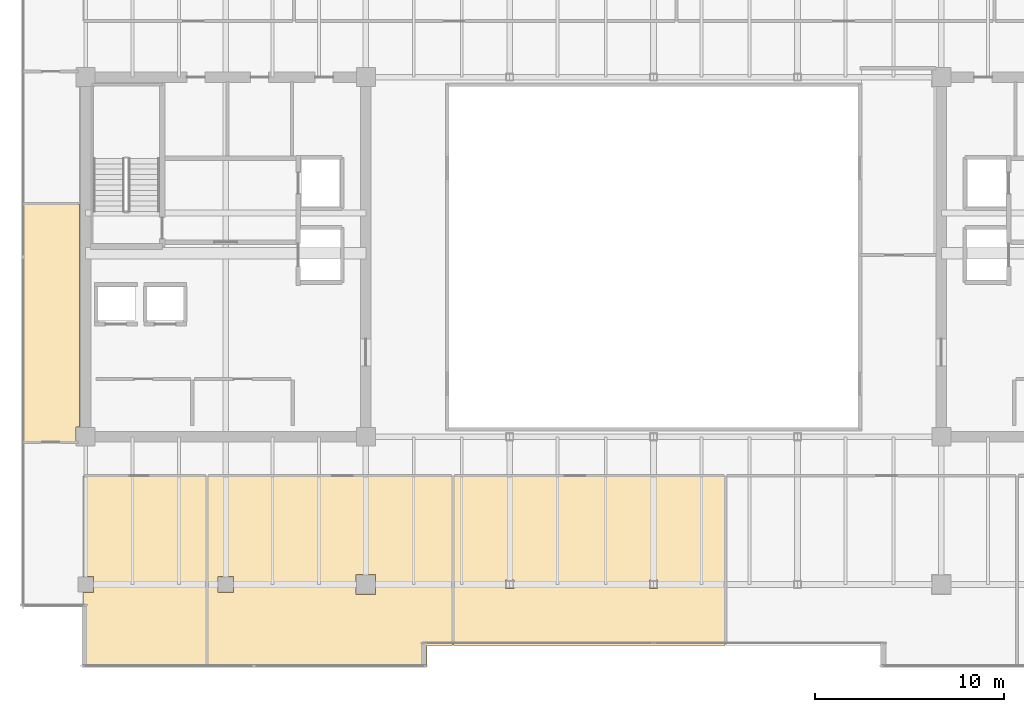
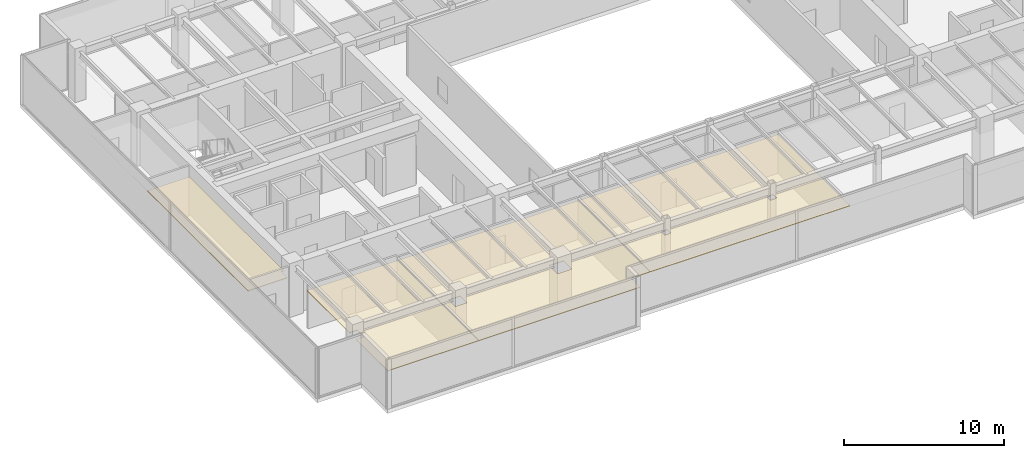
# One storey, part 32 of 35: 4 coverings.
"""IFC4 building model written with IfcOpenShell, lengths in metres."""

from ifc_helpers import new_model, si_unit, direction, frame, origin, place, context, subcontext, project, spatial, polyline, outline, extrude, material, layer, layer_set, type_object, element, save


model = new_model("IFC4")

# Units and contexts
model_context = context("Model", 3, precision=1e-05, world=origin(), true_north=direction((0.0, 1.0)))
body_context = subcontext(model_context, "Body", "Model", "MODEL_VIEW")
ifc_project = project(units=[si_unit("LENGTHUNIT", "METRE"), si_unit("AREAUNIT", "SQUARE_METRE"), si_unit("VOLUMEUNIT", "CUBIC_METRE"), si_unit("PLANEANGLEUNIT", "RADIAN"), si_unit("MASSUNIT", "GRAM", prefix="KILO")], contexts=[model_context])

# Site, building, storey
site_placement = place(None, origin())
site = spatial("IfcSite", under=ifc_project, at=site_placement, CompositionType="ELEMENT")
building_placement = place(site_placement, origin())
building = spatial("IfcBuilding", under=site, at=building_placement, Name="Haelvirn Gate Laboratories", CompositionType="ELEMENT")
storey_placement = place(building_placement, frame((0.0, 0.0, 221.89990234375)))
storey = spatial("IfcBuildingStorey", under=building, at=storey_placement, Name="L53", CompositionType="ELEMENT", Elevation=221.89990234375)

# Coverings
ifc_material = material(Name="Washable cleanroom gasketed aluminium ceiling", Category="aluminium")
ifc_layer = layer(ifc_material, 0.050048828125, Name="COV-CEIL-CLN")
ifc_layer_set = layer_set([ifc_layer], Name="Washable cleanroom gasketed aluminium ceiling")
covering_type = type_object("IfcCoveringType", Name="COV-CEIL-CLN", PredefinedType="CEILING", material=ifc_layer_set)
covering_1_placement = place(storey_placement, frame((0.0, 0.0, 2.8701171875)))
element("IfcCovering", 1, at=covering_1_placement, inside=storey, type_object=covering_type, Name="L53 Laboratory Acoustic Ceiling CEIL-SP-L53-S-01", PredefinedType="CEILING", context=body_context, shape_type="SweptSolid", body=[
    extrude(outline(polyline([(7.25, 12.72998046875), (13.780029296875, 12.72998046875), (13.780029296875, 2.64990234375), (7.25, 2.64990234375), (7.25, 6.580078125), (7.820068359375, 6.580078125), (7.820068359375, 7.419921875), (7.25, 7.419921875), (7.25, 12.72998046875)])), origin(), (0.0, 0.0, 1.0), 0.050048828125),
])
covering_2_placement = place(storey_placement, frame((0.0, 0.0, 2.8701171875)))
element("IfcCovering", 2, at=covering_2_placement, inside=storey, type_object=covering_type, Name="L53 Laboratory Acoustic Ceiling CEIL-SP-L53-S-02", PredefinedType="CEILING", context=body_context, shape_type="SweptSolid", body=[
    extrude(outline(polyline([(13.820068359375, 2.64990234375), (13.820068359375, 12.72998046875), (26.780029296875, 12.72998046875), (26.780029296875, 3.780029296875), (25.419921875, 3.780029296875), (25.419921875, 2.64990234375), (13.820068359375, 2.64990234375)]), holes=[polyline([(14.3798828125, 7.419921875), (14.3798828125, 6.580078125), (15.219970703125, 6.580078125), (15.219970703125, 7.419921875), (14.3798828125, 7.419921875)]), polyline([(22.719970703125, 7.52001953125), (21.679931640625, 7.52001953125), (21.679931640625, 6.47998046875), (22.719970703125, 6.47998046875), (22.719970703125, 7.52001953125)])]), origin(), (0.0, 0.0, 1.0), 0.050048828125),
])
covering_3_placement = place(storey_placement, frame((0.0, 0.0, 2.8701171875)))
element("IfcCovering", 3, at=covering_3_placement, inside=storey, type_object=covering_type, Name="L53 Laboratory Acoustic Ceiling CEIL-SP-L53-S-03", PredefinedType="CEILING", context=body_context, shape_type="SweptSolid", body=[
    extrude(outline(polyline([(41.179931640625, 12.72998046875), (41.179931640625, 3.780029296875), (26.820068359375, 3.780029296875), (26.820068359375, 12.72998046875), (41.179931640625, 12.72998046875)]), holes=[polyline([(29.580078125, 7.219970703125), (29.580078125, 6.780029296875), (30.02001953125, 6.780029296875), (30.02001953125, 7.219970703125), (29.580078125, 7.219970703125)]), polyline([(37.6201171875, 7.219970703125), (37.179931640625, 7.219970703125), (37.179931640625, 6.780029296875), (37.6201171875, 6.780029296875), (37.6201171875, 7.219970703125)])]), origin(), (0.0, 0.0, 1.0), 0.050048828125),
])
covering_4_placement = place(storey_placement, frame((0.0, 0.0, 2.8701171875)))
element("IfcCovering", 4, at=covering_4_placement, inside=storey, type_object=covering_type, Name="L53 Laboratory Acoustic Ceiling CEIL-SP-L53-WZ3-S", PredefinedType="CEILING", context=body_context, shape_type="SweptSolid", body=[
    extrude(outline(polyline([(7.080078125, 27.090087890625), (7.080078125, 15.320068359375), (6.8798828125, 15.320068359375), (6.8798828125, 14.52490234375), (4.050048828125, 14.52490234375), (4.050048828125, 27.090087890625), (7.080078125, 27.090087890625)])), origin(), (0.0, 0.0, 1.0), 0.050048828125),
])

save(model, "model.ifc")
